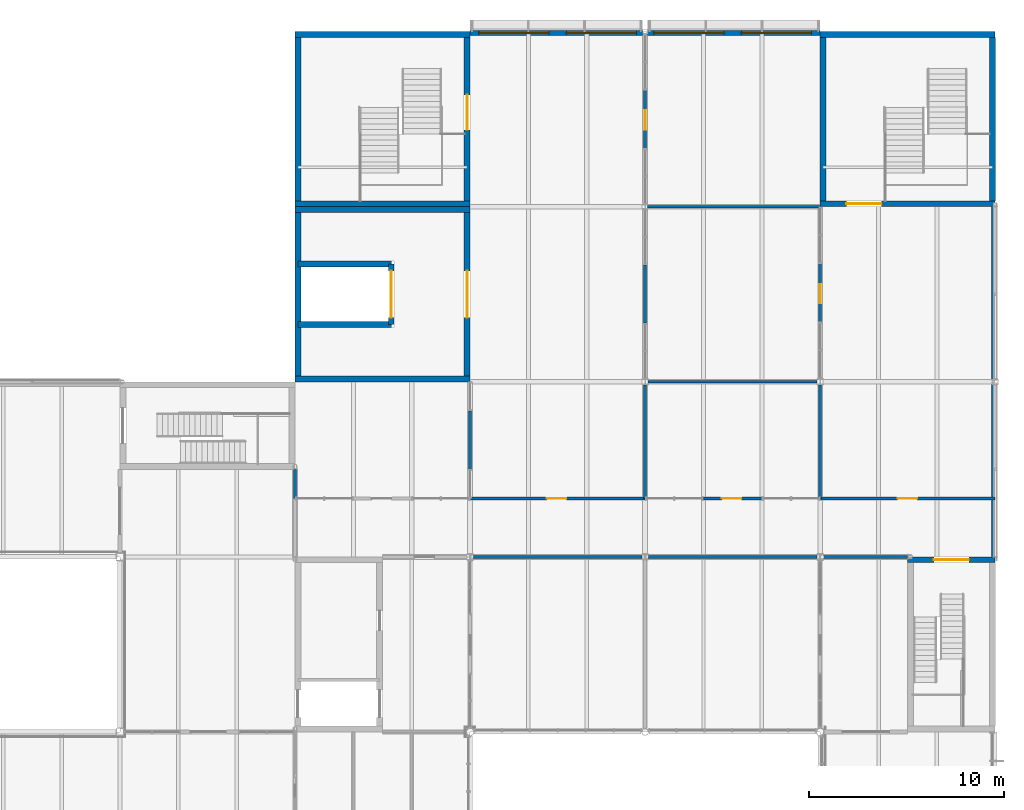
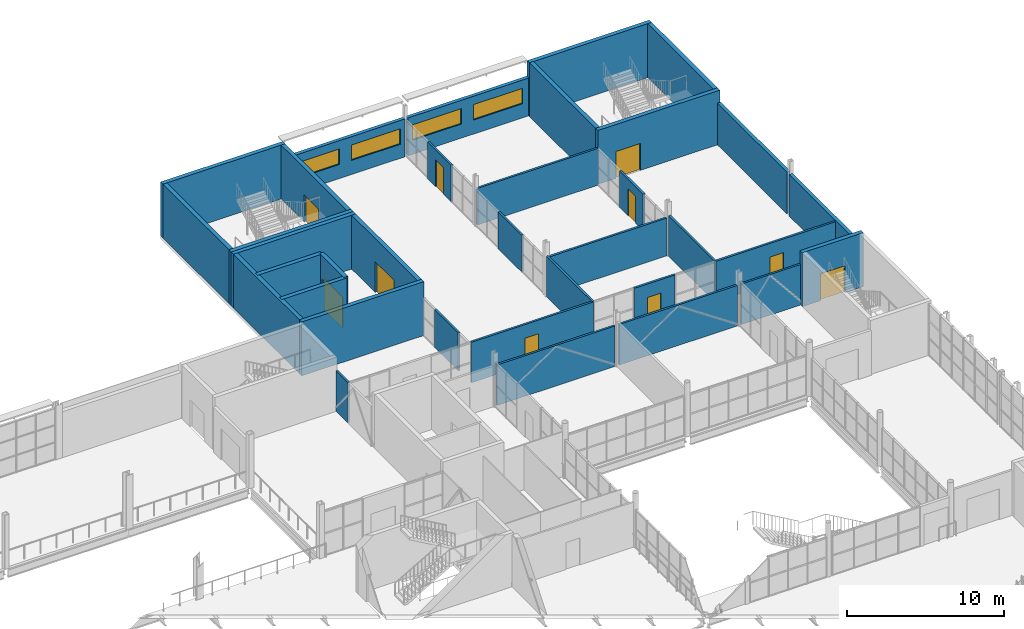
# One storey, part 36 of 57: 35 walls, 10 doors, 4 windows, 14 openings.
"""IFC4 building model written with IfcOpenShell, lengths in metres."""

from ifc_helpers import new_model, si_unit, direction, frame, frame_2d, origin, place, context, subcontext, project, spatial, rectangle, extrude, material, layer, layer_set, type_object, element, fill, save


model = new_model("IFC4")

# Units and contexts
model_context = context("Model", 3, precision=1e-05, world=origin(), true_north=direction((0.0, 1.0)))
body_context = subcontext(model_context, "Body", "Model", "MODEL_VIEW")
ifc_project = project(units=[si_unit("LENGTHUNIT", "METRE"), si_unit("AREAUNIT", "SQUARE_METRE"), si_unit("VOLUMEUNIT", "CUBIC_METRE"), si_unit("PLANEANGLEUNIT", "RADIAN"), si_unit("MASSUNIT", "GRAM", prefix="KILO")], contexts=[model_context])

# Site, building, storey
site_placement = place(None, origin())
site = spatial("IfcSite", under=ifc_project, at=site_placement, CompositionType="ELEMENT")
building_placement = place(site_placement, origin())
building = spatial("IfcBuilding", under=site, at=building_placement, Name="Halyard Row Museum", CompositionType="ELEMENT")
storey_placement = place(building_placement, frame((0.0, 0.0, 5.0)))
storey = spatial("IfcBuildingStorey", under=building, at=storey_placement, Name="L01", CompositionType="ELEMENT", Elevation=5.0)

# Walls
ifc_material_1 = material(Name="Precast concrete C40/50", Category="concrete")
ifc_layer_1 = layer(ifc_material_1, 0.25)
ifc_layer_set_1 = layer_set([ifc_layer_1], Name="Precast concrete C40/50")
wall_type_1 = type_object("IfcWallType", Name="Board-formed concrete wall 250", PredefinedType="SOLIDWALL", material=ifc_layer_set_1)
for number, where, z_axis, x_axis, name in (
    (1, (107.93505859375, 36.0, 0.0), (0.0, 0.0, 1.0), (0.0, 1.0, 0.0), "Wall WL01-800"),
    (2, (107.93505859375, 45.14990234375, 0.0), (0.0, 0.0, 1.0), (0.0, 1.0, 0.0), "Wall WL01-801"),
):
    element("IfcWall", number, at=place(storey_placement, frame(where, z_axis=z_axis, x_axis=x_axis)), inside=storey, type_object=wall_type_1, Name=name, PredefinedType="SOLIDWALL", context=body_context, shape_type="SweptSolid", body=[
        extrude(rectangle(XDim=8.85009765625, YDim=0.25, at=frame_2d((4.425048828125, 0.0))), origin(), (0.0, 0.0, 1.0), 3.25),
    ])

# Wall, openings, windows
wall_1_placement = place(storey_placement, frame((90.125, 62.93505859375, 0.0), z_axis=(0.0, 0.0, 1.0), x_axis=(1.0, 0.0, 0.0)))
wall_1 = element("IfcWall", 3, at=wall_1_placement, inside=storey, type_object=wall_type_1, Name="Wall WL01-802", PredefinedType="SOLIDWALL", context=body_context, shape_type="SweptSolid", body=[
    extrude(rectangle(XDim=8.875, YDim=0.25, at=frame_2d((4.4375, 0.0))), origin(), (0.0, 0.0, 1.0), 2.949951171875),
])
opening_1_placement = place(wall_1_placement, frame((0.324951171875, 0.0, 1.10009765625)))
opening_1 = element("IfcOpeningElement", 4, at=opening_1_placement, cuts=wall_1, Name="Opening WNL01-800", PredefinedType="OPENING", context=body_context, shape_type="SweptSolid", body=[
    extrude(rectangle(XDim=3.60009765625, YDim=1.199951171875, at=frame_2d((1.800048828125, 0.60009765625))), frame((0.0, 0.135009765625, 0.0), z_axis=(0.0, -1.0, 0.0), x_axis=(1.0, 0.0, 0.0)), (0.0, 0.0, 1.0), 0.27001953125),
])
opening_2_placement = place(wall_1_placement, frame((4.824951171875, 0.0, 1.10009765625)))
opening_2 = element("IfcOpeningElement", 5, at=opening_2_placement, cuts=wall_1, Name="Opening WNL01-801", PredefinedType="OPENING", context=body_context, shape_type="SweptSolid", body=[
    extrude(rectangle(XDim=3.60009765625, YDim=1.199951171875, at=frame_2d((1.800048828125, 0.60009765625))), frame((0.0, 0.135009765625, 0.0), z_axis=(0.0, -1.0, 0.0), x_axis=(1.0, 0.0, 0.0)), (0.0, 0.0, 1.0), 0.27001953125),
])
ifc_material_2 = material(Name="Double glazed unit, low-emissivity", Category="glass")
window_type = type_object("IfcWindowType", Name="Window WN4 3600 x 1200", PartitioningType="SINGLE_PANEL", PredefinedType="WINDOW", material=ifc_material_2)
window_1_placement = place(opening_1_placement, origin())
window_1 = element("IfcWindow", 6, at=window_1_placement, inside=storey, type_object=window_type, Name="Window WNL01-800", OverallHeight=1.199951171875, OverallWidth=3.60009765625, PartitioningType="SINGLE_PANEL", PredefinedType="WINDOW", context=body_context, shape_type="SweptSolid", body=[
    extrude(rectangle(XDim=3.60009765625, YDim=1.199951171875, at=frame_2d((1.800048828125, 0.60009765625))), frame((0.0, 0.030029296875, 0.0), z_axis=(0.0, -1.0, 0.0), x_axis=(1.0, 0.0, 0.0)), (0.0, 0.0, 1.0), 0.06005859375),
])
fill(opening_1, window_1)
window_2_placement = place(opening_2_placement, origin())
window_2 = element("IfcWindow", 7, at=window_2_placement, inside=storey, type_object=window_type, Name="Window WNL01-801", OverallHeight=1.199951171875, OverallWidth=3.60009765625, PartitioningType="SINGLE_PANEL", PredefinedType="WINDOW", context=body_context, shape_type="SweptSolid", body=[
    extrude(rectangle(XDim=3.60009765625, YDim=1.199951171875, at=frame_2d((1.800048828125, 0.60009765625))), frame((0.0, 0.030029296875, 0.0), z_axis=(0.0, -1.0, 0.0), x_axis=(1.0, 0.0, 0.0)), (0.0, 0.0, 1.0), 0.06005859375),
])
fill(opening_2, window_2)

wall_2_placement = place(storey_placement, frame((81.0, 62.93505859375, 0.0), z_axis=(0.0, 0.0, 1.0), x_axis=(1.0, 0.0, 0.0)))
wall_2 = element("IfcWall", 8, at=wall_2_placement, inside=storey, type_object=wall_type_1, Name="Wall WL01-803", PredefinedType="SOLIDWALL", context=body_context, shape_type="SweptSolid", body=[
    extrude(rectangle(XDim=8.875, YDim=0.25, at=frame_2d((4.4375, 0.0))), origin(), (0.0, 0.0, 1.0), 2.949951171875),
])
opening_3_placement = place(wall_2_placement, frame((0.449951171875, 0.0, 1.10009765625)))
opening_3 = element("IfcOpeningElement", 9, at=opening_3_placement, cuts=wall_2, Name="Opening WNL01-802", PredefinedType="OPENING", context=body_context, shape_type="SweptSolid", body=[
    extrude(rectangle(XDim=3.60009765625, YDim=1.199951171875, at=frame_2d((1.800048828125, 0.60009765625))), frame((0.0, 0.135009765625, 0.0), z_axis=(0.0, -1.0, 0.0), x_axis=(1.0, 0.0, 0.0)), (0.0, 0.0, 1.0), 0.27001953125),
])
opening_4_placement = place(wall_2_placement, frame((4.949951171875, 0.0, 1.10009765625)))
opening_4 = element("IfcOpeningElement", 10, at=opening_4_placement, cuts=wall_2, Name="Opening WNL01-803", PredefinedType="OPENING", context=body_context, shape_type="SweptSolid", body=[
    extrude(rectangle(XDim=3.60009765625, YDim=1.199951171875, at=frame_2d((1.800048828125, 0.60009765625))), frame((0.0, 0.135009765625, 0.0), z_axis=(0.0, -1.0, 0.0), x_axis=(1.0, 0.0, 0.0)), (0.0, 0.0, 1.0), 0.27001953125),
])
window_3_placement = place(opening_3_placement, origin())
window_3 = element("IfcWindow", 11, at=window_3_placement, inside=storey, type_object=window_type, Name="Window WNL01-802", OverallHeight=1.199951171875, OverallWidth=3.60009765625, PartitioningType="SINGLE_PANEL", PredefinedType="WINDOW", context=body_context, shape_type="SweptSolid", body=[
    extrude(rectangle(XDim=3.60009765625, YDim=1.199951171875, at=frame_2d((1.800048828125, 0.60009765625))), frame((0.0, 0.030029296875, 0.0), z_axis=(0.0, -1.0, 0.0), x_axis=(1.0, 0.0, 0.0)), (0.0, 0.0, 1.0), 0.06005859375),
])
fill(opening_3, window_3)
window_4_placement = place(opening_4_placement, origin())
window_4 = element("IfcWindow", 12, at=window_4_placement, inside=storey, type_object=window_type, Name="Window WNL01-803", OverallHeight=1.199951171875, OverallWidth=3.60009765625, PartitioningType="SINGLE_PANEL", PredefinedType="WINDOW", context=body_context, shape_type="SweptSolid", body=[
    extrude(rectangle(XDim=3.60009765625, YDim=1.199951171875, at=frame_2d((1.800048828125, 0.60009765625))), frame((0.0, 0.030029296875, 0.0), z_axis=(0.0, -1.0, 0.0), x_axis=(1.0, 0.0, 0.0)), (0.0, 0.0, 1.0), 0.06005859375),
])
fill(opening_4, window_4)

# Walls
ifc_material_3 = material(Name="Fire-resisting plasterboard on steel studs", Category="steel")
ifc_layer_2 = layer(ifc_material_3, 0.14990234375)
ifc_layer_set_2 = layer_set([ifc_layer_2], Name="Fire-resisting plasterboard on steel studs")
wall_type_2 = type_object("IfcWallType", Name="Compartment wall 150 fire rated", PredefinedType="PARTITIONING", material=ifc_layer_set_2)
wall_3_placement = place(storey_placement, frame((72.0, 39.0, 0.0), z_axis=(0.0, 0.0, 1.0), x_axis=(0.0, 1.0, 0.0)))
element("IfcWall", 13, at=wall_3_placement, inside=storey, type_object=wall_type_2, Name="Partition Lift Lobby L01 West / Paper Conservation Laboratory", PredefinedType="PARTITIONING", context=body_context, shape_type="SweptSolid", body=[
    extrude(rectangle(XDim=1.5, YDim=0.14990234375, at=frame_2d((0.75, 0.0))), origin(), (0.0, 0.0, 1.0), 3.157958984375),
])
for number, where, z_axis, x_axis, name in (
    (14, (81.155517578125, 36.0, 0.0), (0.0, 0.0, 1.0), (1.0, 0.0, 0.0), "Partition Education Studio L01 / Conservation Route"),
    (15, (90.154541015625, 36.0, 0.0), (0.0, 0.0, 1.0), (1.0, 0.0, 0.0), "Partition Community Room / Conservation Route"),
):
    element("IfcWall", number, at=place(storey_placement, frame(where, z_axis=z_axis, x_axis=x_axis)), inside=storey, type_object=wall_type_2, Name=name, PredefinedType="PARTITIONING", context=body_context, shape_type="SweptSolid", body=[
        extrude(rectangle(XDim=8.68994140625, YDim=0.14990234375, at=frame_2d((4.344970703125, 0.0))), origin(), (0.0, 0.0, 1.0), 3.157958984375),
    ])
wall_4_placement = place(storey_placement, frame((99.155517578125, 36.0, 0.0), z_axis=(0.0, 0.0, 1.0), x_axis=(1.0, 0.0, 0.0)))
element("IfcWall", 16, at=wall_4_placement, inside=storey, type_object=wall_type_2, Name="Partition Stair Lobby K2C L01 / Conservation Route", PredefinedType="PARTITIONING", context=body_context, shape_type="SweptSolid", body=[
    extrude(rectangle(XDim=4.344482421875, YDim=0.14990234375, at=frame_2d((2.17236328125, 0.0))), origin(), (0.0, 0.0, 1.0), 3.157958984375),
])

# Wall, opening, door
wall_5_placement = place(storey_placement, frame((81.0, 39.0, 0.0), z_axis=(0.0, 0.0, 1.0), x_axis=(1.0, 0.0, 0.0)))
wall_5 = element("IfcWall", 17, at=wall_5_placement, inside=storey, type_object=wall_type_2, Name="Partition Conservation Route / Goods Lobby L01", PredefinedType="PARTITIONING", context=body_context, shape_type="SweptSolid", body=[
    extrude(rectangle(XDim=9.0, YDim=0.14990234375, at=frame_2d((4.5, 0.0))), origin(), (0.0, 0.0, 1.0), 3.157958984375),
])
opening_5_placement = place(wall_5_placement, frame((3.949951171875, 0.0, 0.0)))
opening_5 = element("IfcOpeningElement", 18, at=opening_5_placement, cuts=wall_5, Name="Opening DL01-023", PredefinedType="OPENING", context=body_context, shape_type="SweptSolid", body=[
    extrude(rectangle(XDim=1.0, YDim=2.10009765625, at=frame_2d((0.5, 1.050048828125))), frame((0.0, 0.0849609375, 0.0), z_axis=(0.0, -1.0, 0.0), x_axis=(1.0, 0.0, 0.0)), (0.0, 0.0, 1.0), 0.169921875),
])
ifc_material_4 = material(Name="Fire-resisting timber door leaf and steel frame", Category="steel")
door_type_1 = type_object("IfcDoorType", Name="Compartment door 1000 x 2100 fire rated", OperationType="NOTDEFINED", PredefinedType="DOOR", material=ifc_material_4)
door_1_placement = place(opening_5_placement, origin())
door_1 = element("IfcDoor", 19, at=door_1_placement, inside=storey, type_object=door_type_1, Name="Door Conservation Route to Goods Lobby L01", OperationType="SINGLE_SWING_RIGHT", OverallHeight=2.10009765625, OverallWidth=1.0, PredefinedType="DOOR", context=body_context, shape_type="SweptSolid", body=[
    extrude(rectangle(XDim=1.0, YDim=2.10009765625, at=frame_2d((0.5, 1.050048828125))), frame((0.0, 0.02490234375, 0.0), z_axis=(0.0, -1.0, 0.0), x_axis=(1.0, 0.0, 0.0)), (0.0, 0.0, 1.0), 0.050048828125),
])
fill(opening_5, door_1)

wall_6_placement = place(storey_placement, frame((93.0, 39.0, 0.0), z_axis=(0.0, 0.0, 1.0), x_axis=(1.0, 0.0, 0.0)))
wall_6 = element("IfcWall", 20, at=wall_6_placement, inside=storey, type_object=wall_type_2, Name="Partition Conservation Route / Textile Conservation Laboratory", PredefinedType="PARTITIONING", context=body_context, shape_type="SweptSolid", body=[
    extrude(rectangle(XDim=3.0, YDim=0.14990234375, at=frame_2d((1.5, 0.0))), origin(), (0.0, 0.0, 1.0), 3.157958984375),
])
opening_6_placement = place(wall_6_placement, frame((0.949951171875, 0.0, 0.0)))
opening_6 = element("IfcOpeningElement", 21, at=opening_6_placement, cuts=wall_6, Name="Opening DL01-033", PredefinedType="OPENING", context=body_context, shape_type="SweptSolid", body=[
    extrude(rectangle(XDim=1.0, YDim=2.10009765625, at=frame_2d((0.5, 1.050048828125))), frame((0.0, 0.0849609375, 0.0), z_axis=(0.0, -1.0, 0.0), x_axis=(1.0, 0.0, 0.0)), (0.0, 0.0, 1.0), 0.169921875),
])
door_2_placement = place(opening_6_placement, origin())
door_2 = element("IfcDoor", 22, at=door_2_placement, inside=storey, type_object=door_type_1, Name="Door Textile Conservation Laboratory to Conservation Route", OperationType="SINGLE_SWING_RIGHT", OverallHeight=2.10009765625, OverallWidth=1.0, PredefinedType="DOOR", context=body_context, shape_type="SweptSolid", body=[
    extrude(rectangle(XDim=1.0, YDim=2.10009765625, at=frame_2d((0.5, 1.050048828125))), frame((0.0, 0.02490234375, 0.0), z_axis=(0.0, -1.0, 0.0), x_axis=(1.0, 0.0, 0.0)), (0.0, 0.0, 1.0), 0.050048828125),
])
fill(opening_6, door_2)

wall_7_placement = place(storey_placement, frame((99.0, 39.0, 0.0), z_axis=(0.0, 0.0, 1.0), x_axis=(1.0, 0.0, 0.0)))
wall_7 = element("IfcWall", 23, at=wall_7_placement, inside=storey, type_object=wall_type_2, Name="Partition Conservation Route / Stair Lobby K5B L01", PredefinedType="PARTITIONING", context=body_context, shape_type="SweptSolid", body=[
    extrude(rectangle(XDim=9.0, YDim=0.14990234375, at=frame_2d((4.5, 0.0))), origin(), (0.0, 0.0, 1.0), 3.157958984375),
])
opening_7_placement = place(wall_7_placement, frame((3.985107421875, 0.0, 0.0)))
opening_7 = element("IfcOpeningElement", 24, at=opening_7_placement, cuts=wall_7, Name="Opening DL01-024", PredefinedType="OPENING", context=body_context, shape_type="SweptSolid", body=[
    extrude(rectangle(XDim=1.0, YDim=2.10009765625, at=frame_2d((0.5, 1.050048828125))), frame((0.0, 0.0849609375, 0.0), z_axis=(0.0, -1.0, 0.0), x_axis=(1.0, 0.0, 0.0)), (0.0, 0.0, 1.0), 0.169921875),
])
door_3_placement = place(opening_7_placement, origin())
door_3 = element("IfcDoor", 25, at=door_3_placement, inside=storey, type_object=door_type_1, Name="Door Conservation Route to Stair Lobby K5B L01", OperationType="SINGLE_SWING_LEFT", OverallHeight=2.10009765625, OverallWidth=1.0, PredefinedType="DOOR", context=body_context, shape_type="SweptSolid", body=[
    extrude(rectangle(XDim=1.0, YDim=2.10009765625, at=frame_2d((0.5, 1.050048828125))), frame((0.0, 0.02490234375, 0.0), z_axis=(0.0, -1.0, 0.0), x_axis=(1.0, 0.0, 0.0)), (0.0, 0.0, 1.0), 0.050048828125),
])
fill(opening_7, door_3)

# Walls
wall_8_placement = place(storey_placement, frame((81.0, 40.5, 0.0), z_axis=(0.0, 0.0, 1.0), x_axis=(0.0, 1.0, 0.0)))
element("IfcWall", 26, at=wall_8_placement, inside=storey, type_object=wall_type_2, Name="Partition Paper Conservation Laboratory / Goods Lobby L01", PredefinedType="PARTITIONING", context=body_context, shape_type="SweptSolid", body=[
    extrude(rectangle(XDim=3.0, YDim=0.14990234375, at=frame_2d((1.5, 0.0))), origin(), (0.0, 0.0, 1.0), 2.949951171875),
])
wall_9_placement = place(storey_placement, frame((90.0, 39.0, 0.0), z_axis=(0.0, 0.0, 1.0), x_axis=(0.0, 1.0, 0.0)))
element("IfcWall", 27, at=wall_9_placement, inside=storey, type_object=wall_type_2, Name="Partition Goods Lobby L01 / Textile Conservation Laboratory", PredefinedType="PARTITIONING", context=body_context, shape_type="SweptSolid", body=[
    extrude(rectangle(XDim=5.845947265625, YDim=0.14990234375, at=frame_2d((2.9228515625, 0.0))), origin(), (0.0, 0.0, 1.0), 3.157958984375),
])
wall_10_placement = place(storey_placement, frame((90.0, 48.013671875, 0.0), z_axis=(0.0, 0.0, 1.0), x_axis=(0.0, 1.0, 0.0)))
element("IfcWall", 28, at=wall_10_placement, inside=storey, type_object=wall_type_2, Name="Partition Goods Lobby L01 / Imaging Laboratory", PredefinedType="PARTITIONING", context=body_context, shape_type="SweptSolid", body=[
    extrude(rectangle(XDim=3.0, YDim=0.14990234375, at=frame_2d((1.5, 0.0))), origin(), (0.0, 0.0, 1.0), 2.85791015625),
])
wall_11_placement = place(storey_placement, frame((90.152587890625, 45.0, 0.0), z_axis=(0.0, 0.0, 1.0), x_axis=(1.0, 0.0, 0.0)))
element("IfcWall", 29, at=wall_11_placement, inside=storey, type_object=wall_type_2, Name="Partition Textile Conservation Laboratory / Imaging Laboratory", PredefinedType="PARTITIONING", context=body_context, shape_type="SweptSolid", body=[
    extrude(rectangle(XDim=8.69482421875, YDim=0.14990234375, at=frame_2d((4.347412109375, 0.0))), origin(), (0.0, 0.0, 1.0), 2.949951171875),
])
wall_12_placement = place(storey_placement, frame((99.0, 39.0, 0.0), z_axis=(0.0, 0.0, 1.0), x_axis=(0.0, 1.0, 0.0)))
element("IfcWall", 30, at=wall_12_placement, inside=storey, type_object=wall_type_2, Name="Partition Textile Conservation Laboratory / Stair Lobby K5B L01", PredefinedType="PARTITIONING", context=body_context, shape_type="SweptSolid", body=[
    extrude(rectangle(XDim=5.845947265625, YDim=0.14990234375, at=frame_2d((2.9228515625, 0.0))), origin(), (0.0, 0.0, 1.0), 3.157958984375),
])

# Wall, opening, door
wall_13_placement = place(storey_placement, frame((99.0, 48.076904296875, 0.0), z_axis=(0.0, 0.0, 1.0), x_axis=(0.0, 1.0, 0.0)))
wall_13 = element("IfcWall", 31, at=wall_13_placement, inside=storey, type_object=wall_type_2, Name="Partition Imaging Laboratory / Stair Lobby K5B L01", PredefinedType="PARTITIONING", context=body_context, shape_type="SweptSolid", body=[
    extrude(rectangle(XDim=3.0, YDim=0.14990234375, at=frame_2d((1.5, 0.0))), origin(), (0.0, 0.0, 1.0), 2.85791015625),
])
opening_8_placement = place(wall_13_placement, frame((0.949951171875, 0.0, 0.0)))
opening_8 = element("IfcOpeningElement", 32, at=opening_8_placement, cuts=wall_13, Name="Opening DL01-034", PredefinedType="OPENING", context=body_context, shape_type="SweptSolid", body=[
    extrude(rectangle(XDim=1.0, YDim=2.10009765625, at=frame_2d((0.5, 1.050048828125))), frame((0.0, 0.0849609375, 0.0), z_axis=(0.0, -1.0, 0.0), x_axis=(1.0, 0.0, 0.0)), (0.0, 0.0, 1.0), 0.169921875),
])
door_4_placement = place(opening_8_placement, origin())
door_4 = element("IfcDoor", 33, at=door_4_placement, inside=storey, type_object=door_type_1, Name="Door Imaging Laboratory to Stair Lobby K5B L01", OperationType="SINGLE_SWING_LEFT", OverallHeight=2.10009765625, OverallWidth=1.0, PredefinedType="DOOR", context=body_context, shape_type="SweptSolid", body=[
    extrude(rectangle(XDim=1.0, YDim=2.10009765625, at=frame_2d((0.5, 1.050048828125))), frame((0.0, 0.02490234375, 0.0), z_axis=(0.0, -1.0, 0.0), x_axis=(1.0, 0.0, 0.0)), (0.0, 0.0, 1.0), 0.050048828125),
])
fill(opening_8, door_4)

# Wall
wall_14_placement = place(storey_placement, frame((90.126953125, 54.0, 0.0), z_axis=(0.0, 0.0, 1.0), x_axis=(1.0, 0.0, 0.0)))
element("IfcWall", 34, at=wall_14_placement, inside=storey, type_object=wall_type_2, Name="Partition Imaging Laboratory / Objects Conservation Laboratory", PredefinedType="PARTITIONING", context=body_context, shape_type="SweptSolid", body=[
    extrude(rectangle(XDim=8.873046875, YDim=0.14990234375, at=frame_2d((4.4365234375, 0.0))), origin(), (0.0, 0.0, 1.0), 2.85791015625),
])

# Wall, opening, door
wall_15_placement = place(storey_placement, frame((90.0, 57.0009765625, 0.0), z_axis=(0.0, 0.0, 1.0), x_axis=(0.0, 1.0, 0.0)))
wall_15 = element("IfcWall", 35, at=wall_15_placement, inside=storey, type_object=wall_type_2, Name="Partition Stair Lobby K5A L01 / Objects Conservation Laboratory", PredefinedType="PARTITIONING", context=body_context, shape_type="SweptSolid", body=[
    extrude(rectangle(XDim=3.0, YDim=0.14990234375, at=frame_2d((1.5, 0.0))), origin(), (0.0, 0.0, 1.0), 2.85791015625),
])
opening_9_placement = place(wall_15_placement, frame((0.949951171875, 0.0, 0.0)))
opening_9 = element("IfcOpeningElement", 36, at=opening_9_placement, cuts=wall_15, Name="Opening DL01-035", PredefinedType="OPENING", context=body_context, shape_type="SweptSolid", body=[
    extrude(rectangle(XDim=1.0, YDim=2.10009765625, at=frame_2d((0.5, 1.050048828125))), frame((0.0, 0.0849609375, 0.0), z_axis=(0.0, -1.0, 0.0), x_axis=(1.0, 0.0, 0.0)), (0.0, 0.0, 1.0), 0.169921875),
])
door_5_placement = place(opening_9_placement, frame((1.0, 0.0, 0.0), z_axis=(0.0, 0.0, 1.0), x_axis=(-1.0, 0.0, 0.0)))
door_5 = element("IfcDoor", 37, at=door_5_placement, inside=storey, type_object=door_type_1, Name="Door Objects Conservation Laboratory to Stair Lobby K5A L01", OperationType="SINGLE_SWING_LEFT", OverallHeight=2.10009765625, OverallWidth=1.0, PredefinedType="DOOR", context=body_context, shape_type="SweptSolid", body=[
    extrude(rectangle(XDim=1.0, YDim=2.10009765625, at=frame_2d((0.5, 1.050048828125))), frame((0.0, 0.02490234375, 0.0), z_axis=(0.0, -1.0, 0.0), x_axis=(1.0, 0.0, 0.0)), (0.0, 0.0, 1.0), 0.050048828125),
])
fill(opening_9, door_5)

# Wall
ifc_material_5 = material(Name="Concrete 40 MPa", Category="concrete")
ifc_layer_3 = layer(ifc_material_5, 0.300048828125)
ifc_layer_set_3 = layer_set([ifc_layer_3], Name="Concrete 40 MPa")
wall_type_3 = type_object("IfcWallType", Name="Core wall 300 lift shaft", PredefinedType="SOLIDWALL", material=ifc_layer_set_3)
wall_16_placement = place(storey_placement, frame((72.0, 45.14990234375, 0.0), z_axis=(0.0, 0.0, 1.0), x_axis=(1.0, 0.0, 0.0)))
element("IfcWall", 38, at=wall_16_placement, inside=storey, type_object=wall_type_3, Name="Core wall K8 S L01", PredefinedType="SOLIDWALL", context=body_context, shape_type="SweptSolid", body=[
    extrude(rectangle(XDim=9.0, YDim=0.300048828125, at=frame_2d((4.5, 0.0))), origin(), (0.0, 0.0, 1.0), 4.199951171875),
])

# Wall, opening, door
wall_17_placement = place(storey_placement, frame((80.85009765625, 45.300048828125, 0.0), z_axis=(0.0, 0.0, 1.0), x_axis=(0.0, 1.0, 0.0)))
wall_17 = element("IfcWall", 39, at=wall_17_placement, inside=storey, type_object=wall_type_3, Name="Core wall K8 E L01", PredefinedType="SOLIDWALL", context=body_context, shape_type="SweptSolid", body=[
    extrude(rectangle(XDim=8.39990234375, YDim=0.300048828125, at=frame_2d((4.199951171875, 0.0))), origin(), (0.0, 0.0, 1.0), 4.199951171875),
])
opening_10_placement = place(wall_17_placement, frame((3.0, 0.0, 0.0)))
opening_10 = element("IfcOpeningElement", 40, at=opening_10_placement, cuts=wall_17, Name="Opening DL01-012", PredefinedType="OPENING", context=body_context, shape_type="SweptSolid", body=[
    extrude(rectangle(XDim=2.39990234375, YDim=2.39990234375, at=frame_2d((1.199951171875, 1.199951171875))), frame((0.0, 0.159912109375, 0.0), z_axis=(0.0, -1.0, 0.0), x_axis=(1.0, 0.0, 0.0)), (0.0, 0.0, 1.0), 0.320068359375),
])
ifc_material_6 = material(Name="Timber veneered door leaf and softwood frame", Category="wood")
door_type_2 = type_object("IfcDoorType", Name="Double door 2400 x 2400 gallery fire rated", OperationType="NOTDEFINED", PredefinedType="DOOR", material=ifc_material_6)
door_6_placement = place(opening_10_placement, frame((2.39990234375, 0.0, 0.0), z_axis=(0.0, 0.0, 1.0), x_axis=(-1.0, 0.0, 0.0)))
door_6 = element("IfcDoor", 41, at=door_6_placement, inside=storey, type_object=door_type_2, Name="Goods lobby door K8 L01", OperationType="DOUBLE_DOOR_SINGLE_SWING", OverallHeight=2.39990234375, OverallWidth=2.39990234375, PredefinedType="DOOR", context=body_context, shape_type="SweptSolid", body=[
    extrude(rectangle(XDim=2.39990234375, YDim=2.39990234375, at=frame_2d((1.199951171875, 1.199951171875))), frame((0.0, 0.02490234375, 0.0), z_axis=(0.0, -1.0, 0.0), x_axis=(1.0, 0.0, 0.0)), (0.0, 0.0, 1.0), 0.050048828125),
])
fill(opening_10, door_6)

# Walls
wall_18_placement = place(storey_placement, frame((72.0, 53.85009765625, 0.0), z_axis=(0.0, 0.0, 1.0), x_axis=(1.0, 0.0, 0.0)))
element("IfcWall", 42, at=wall_18_placement, inside=storey, type_object=wall_type_3, Name="Core wall K8 N L01", PredefinedType="SOLIDWALL", context=body_context, shape_type="SweptSolid", body=[
    extrude(rectangle(XDim=9.0, YDim=0.300048828125, at=frame_2d((4.5, 0.0))), origin(), (0.0, 0.0, 1.0), 4.199951171875),
])
wall_19_placement = place(storey_placement, frame((72.14990234375, 45.300048828125, 0.0), z_axis=(0.0, 0.0, 1.0), x_axis=(0.0, 1.0, 0.0)))
element("IfcWall", 43, at=wall_19_placement, inside=storey, type_object=wall_type_3, Name="Core wall K8 W L01", PredefinedType="SOLIDWALL", context=body_context, shape_type="SweptSolid", body=[
    extrude(rectangle(XDim=8.39990234375, YDim=0.300048828125, at=frame_2d((4.199951171875, 0.0))), origin(), (0.0, 0.0, 1.0), 4.199951171875),
])

# Wall, opening, door
wall_20_placement = place(storey_placement, frame((76.949951171875, 47.949951171875, 0.0), z_axis=(0.0, 0.0, 1.0), x_axis=(0.0, 1.0, 0.0)))
wall_20 = element("IfcWall", 44, at=wall_20_placement, inside=storey, type_object=wall_type_3, Name="Shaft wall GL1 front L01", PredefinedType="SOLIDWALL", context=body_context, shape_type="SweptSolid", body=[
    extrude(rectangle(XDim=3.10009765625, YDim=0.300048828125, at=frame_2d((1.550048828125, 0.0))), origin(), (0.0, 0.0, 1.0), 4.199951171875),
])
opening_11_placement = place(wall_20_placement, frame((0.35009765625, 0.0, 0.0)))
opening_11 = element("IfcOpeningElement", 45, at=opening_11_placement, cuts=wall_20, Name="Opening LDGL1-L01", PredefinedType="OPENING", context=body_context, shape_type="SweptSolid", body=[
    extrude(rectangle(XDim=2.39990234375, YDim=2.39990234375, at=frame_2d((1.199951171875, 1.199951171875))), frame((0.0, 0.159912109375, 0.0), z_axis=(0.0, -1.0, 0.0), x_axis=(1.0, 0.0, 0.0)), (0.0, 0.0, 1.0), 0.320068359375),
])
ifc_material_7 = material(Name="Stainless steel sliding car and landing doors", Category="steel")
door_type_3 = type_object("IfcDoorType", Name="Lift landing door 2400 x 2400", OperationType="SLIDING_TO_LEFT", PredefinedType="DOOR", material=ifc_material_7)
door_7_placement = place(opening_11_placement, origin())
door_7 = element("IfcDoor", 46, at=door_7_placement, inside=storey, type_object=door_type_3, Name="Landing door GL1 L01", OperationType="DOUBLE_DOOR_SLIDING", OverallHeight=2.39990234375, OverallWidth=2.39990234375, PredefinedType="DOOR", context=body_context, shape_type="SweptSolid", body=[
    extrude(rectangle(XDim=2.39990234375, YDim=2.39990234375, at=frame_2d((1.199951171875, 1.199951171875))), frame((0.0, 0.02490234375, 0.0), z_axis=(0.0, -1.0, 0.0), x_axis=(1.0, 0.0, 0.0)), (0.0, 0.0, 1.0), 0.050048828125),
])
fill(opening_11, door_7)

# Walls
for number, where, z_axis, x_axis, name in (
    (47, (72.14990234375, 47.949951171875, 0.0), (0.0, 0.0, 1.0), (1.0, 0.0, 0.0), "Shaft wall GL1 A L01"),
    (48, (72.14990234375, 51.050048828125, 0.0), (0.0, 0.0, 1.0), (1.0, 0.0, 0.0), "Shaft wall GL1 B L01"),
):
    element("IfcWall", number, at=place(storey_placement, frame(where, z_axis=z_axis, x_axis=x_axis)), inside=storey, type_object=wall_type_3, Name=name, PredefinedType="SOLIDWALL", context=body_context, shape_type="SweptSolid", body=[
        extrude(rectangle(XDim=4.800048828125, YDim=0.300048828125, at=frame_2d((2.39990234375, 0.0))), origin(), (0.0, 0.0, 1.0), 4.199951171875),
    ])

# Wall, opening, door
ifc_material_8 = material(Name="Concrete 40 MPa", Category="concrete")
ifc_layer_4 = layer(ifc_material_8, 0.300048828125)
ifc_layer_set_4 = layer_set([ifc_layer_4], Name="Concrete 40 MPa")
wall_type_4 = type_object("IfcWallType", Name="Exitway wall 300 reinforced concrete", PredefinedType="SOLIDWALL", material=ifc_layer_set_4)
wall_21_placement = place(storey_placement, frame((103.5, 35.85009765625, 0.0), z_axis=(0.0, 0.0, 1.0), x_axis=(1.0, 0.0, 0.0)))
wall_21 = element("IfcWall", 49, at=wall_21_placement, inside=storey, type_object=wall_type_4, Name="Core wall K2C N L01", PredefinedType="SOLIDWALL", context=body_context, shape_type="SweptSolid", body=[
    extrude(rectangle(XDim=4.5, YDim=0.300048828125, at=frame_2d((2.25, 0.0))), origin(), (0.0, 0.0, 1.0), 4.199951171875),
])
opening_12_placement = place(wall_21_placement, frame((1.35009765625, 0.0, 0.0)))
opening_12 = element("IfcOpeningElement", 50, at=opening_12_placement, cuts=wall_21, Name="Opening DL01-007", PredefinedType="OPENING", context=body_context, shape_type="SweptSolid", body=[
    extrude(rectangle(XDim=1.800048828125, YDim=2.10009765625, at=frame_2d((0.89990234375, 1.050048828125))), frame((0.0, 0.159912109375, 0.0), z_axis=(0.0, -1.0, 0.0), x_axis=(1.0, 0.0, 0.0)), (0.0, 0.0, 1.0), 0.320068359375),
])
ifc_material_9 = material(Name="Fire-resisting timber door leaf and steel frame", Category="steel")
door_type_4 = type_object("IfcDoorType", Name="Exitway door 1800 x 2100 fire rated", OperationType="NOTDEFINED", PredefinedType="DOOR", material=ifc_material_9)
door_8_placement = place(opening_12_placement, frame((1.800048828125, 0.0, 0.0), z_axis=(0.0, 0.0, 1.0), x_axis=(-1.0, 0.0, 0.0)))
door_8 = element("IfcDoor", 51, at=door_8_placement, inside=storey, type_object=door_type_4, Name="Exitway door K2C L01", OperationType="DOUBLE_DOOR_SINGLE_SWING", OverallHeight=2.10009765625, OverallWidth=1.800048828125, PredefinedType="DOOR", context=body_context, shape_type="SweptSolid", body=[
    extrude(rectangle(XDim=1.800048828125, YDim=2.10009765625, at=frame_2d((0.89990234375, 1.050048828125))), frame((0.0, 0.02490234375, 0.0), z_axis=(0.0, -1.0, 0.0), x_axis=(1.0, 0.0, 0.0)), (0.0, 0.0, 1.0), 0.050048828125),
])
fill(opening_12, door_8)

# Wall
wall_22_placement = place(storey_placement, frame((72.0, 54.14990234375, 0.0), z_axis=(0.0, 0.0, 1.0), x_axis=(1.0, 0.0, 0.0)))
element("IfcWall", 52, at=wall_22_placement, inside=storey, type_object=wall_type_4, Name="Core wall K5A S L01", PredefinedType="SOLIDWALL", context=body_context, shape_type="SweptSolid", body=[
    extrude(rectangle(XDim=9.0, YDim=0.300048828125, at=frame_2d((4.5, 0.0))), origin(), (0.0, 0.0, 1.0), 4.199951171875),
])

# Wall, opening, door
wall_23_placement = place(storey_placement, frame((80.85009765625, 54.300048828125, 0.0), z_axis=(0.0, 0.0, 1.0), x_axis=(0.0, 1.0, 0.0)))
wall_23 = element("IfcWall", 53, at=wall_23_placement, inside=storey, type_object=wall_type_4, Name="Core wall K5A E L01", PredefinedType="SOLIDWALL", context=body_context, shape_type="SweptSolid", body=[
    extrude(rectangle(XDim=8.39990234375, YDim=0.300048828125, at=frame_2d((4.199951171875, 0.0))), origin(), (0.0, 0.0, 1.0), 4.199951171875),
])
opening_13_placement = place(wall_23_placement, frame((3.64990234375, 0.0, 0.0)))
opening_13 = element("IfcOpeningElement", 54, at=opening_13_placement, cuts=wall_23, Name="Opening DL01-010", PredefinedType="OPENING", context=body_context, shape_type="SweptSolid", body=[
    extrude(rectangle(XDim=1.800048828125, YDim=2.10009765625, at=frame_2d((0.89990234375, 1.050048828125))), frame((0.0, 0.159912109375, 0.0), z_axis=(0.0, -1.0, 0.0), x_axis=(1.0, 0.0, 0.0)), (0.0, 0.0, 1.0), 0.320068359375),
])
door_9_placement = place(opening_13_placement, origin())
door_9 = element("IfcDoor", 55, at=door_9_placement, inside=storey, type_object=door_type_4, Name="Exitway door K5A L01", OperationType="DOUBLE_DOOR_SINGLE_SWING", OverallHeight=2.10009765625, OverallWidth=1.800048828125, PredefinedType="DOOR", context=body_context, shape_type="SweptSolid", body=[
    extrude(rectangle(XDim=1.800048828125, YDim=2.10009765625, at=frame_2d((0.89990234375, 1.050048828125))), frame((0.0, 0.02490234375, 0.0), z_axis=(0.0, -1.0, 0.0), x_axis=(1.0, 0.0, 0.0)), (0.0, 0.0, 1.0), 0.050048828125),
])
fill(opening_13, door_9)

# Walls
wall_24_placement = place(storey_placement, frame((72.0, 62.85009765625, 0.0), z_axis=(0.0, 0.0, 1.0), x_axis=(1.0, 0.0, 0.0)))
element("IfcWall", 56, at=wall_24_placement, inside=storey, type_object=wall_type_4, Name="Core wall K5A N L01", PredefinedType="SOLIDWALL", context=body_context, shape_type="SweptSolid", body=[
    extrude(rectangle(XDim=9.0, YDim=0.300048828125, at=frame_2d((4.5, 0.0))), origin(), (0.0, 0.0, 1.0), 4.199951171875),
])
wall_25_placement = place(storey_placement, frame((72.14990234375, 54.300048828125, 0.0), z_axis=(0.0, 0.0, 1.0), x_axis=(0.0, 1.0, 0.0)))
element("IfcWall", 57, at=wall_25_placement, inside=storey, type_object=wall_type_4, Name="Core wall K5A W L01", PredefinedType="SOLIDWALL", context=body_context, shape_type="SweptSolid", body=[
    extrude(rectangle(XDim=8.39990234375, YDim=0.300048828125, at=frame_2d((4.199951171875, 0.0))), origin(), (0.0, 0.0, 1.0), 4.199951171875),
])

# Wall, opening, door
wall_26_placement = place(storey_placement, frame((99.0, 54.14990234375, 0.0), z_axis=(0.0, 0.0, 1.0), x_axis=(1.0, 0.0, 0.0)))
wall_26 = element("IfcWall", 58, at=wall_26_placement, inside=storey, type_object=wall_type_4, Name="Core wall K5B S L01", PredefinedType="SOLIDWALL", context=body_context, shape_type="SweptSolid", body=[
    extrude(rectangle(XDim=9.0, YDim=0.300048828125, at=frame_2d((4.5, 0.0))), origin(), (0.0, 0.0, 1.0), 4.199951171875),
])
opening_14_placement = place(wall_26_placement, frame((1.35009765625, 0.0, 0.0)))
opening_14 = element("IfcOpeningElement", 59, at=opening_14_placement, cuts=wall_26, Name="Opening DL01-011", PredefinedType="OPENING", context=body_context, shape_type="SweptSolid", body=[
    extrude(rectangle(XDim=1.800048828125, YDim=2.10009765625, at=frame_2d((0.89990234375, 1.050048828125))), frame((0.0, 0.159912109375, 0.0), z_axis=(0.0, -1.0, 0.0), x_axis=(1.0, 0.0, 0.0)), (0.0, 0.0, 1.0), 0.320068359375),
])
door_10_placement = place(opening_14_placement, origin())
door_10 = element("IfcDoor", 60, at=door_10_placement, inside=storey, type_object=door_type_4, Name="Exitway door K5B L01", OperationType="DOUBLE_DOOR_SINGLE_SWING", OverallHeight=2.10009765625, OverallWidth=1.800048828125, PredefinedType="DOOR", context=body_context, shape_type="SweptSolid", body=[
    extrude(rectangle(XDim=1.800048828125, YDim=2.10009765625, at=frame_2d((0.89990234375, 1.050048828125))), frame((0.0, 0.02490234375, 0.0), z_axis=(0.0, -1.0, 0.0), x_axis=(1.0, 0.0, 0.0)), (0.0, 0.0, 1.0), 0.050048828125),
])
fill(opening_14, door_10)

# Walls
wall_27_placement = place(storey_placement, frame((107.85009765625, 54.300048828125, 0.0), z_axis=(0.0, 0.0, 1.0), x_axis=(0.0, 1.0, 0.0)))
element("IfcWall", 61, at=wall_27_placement, inside=storey, type_object=wall_type_4, Name="Core wall K5B E L01", PredefinedType="SOLIDWALL", context=body_context, shape_type="SweptSolid", body=[
    extrude(rectangle(XDim=8.39990234375, YDim=0.300048828125, at=frame_2d((4.199951171875, 0.0))), origin(), (0.0, 0.0, 1.0), 4.199951171875),
])
wall_28_placement = place(storey_placement, frame((99.0, 62.85009765625, 0.0), z_axis=(0.0, 0.0, 1.0), x_axis=(1.0, 0.0, 0.0)))
element("IfcWall", 62, at=wall_28_placement, inside=storey, type_object=wall_type_4, Name="Core wall K5B N L01", PredefinedType="SOLIDWALL", context=body_context, shape_type="SweptSolid", body=[
    extrude(rectangle(XDim=9.0, YDim=0.300048828125, at=frame_2d((4.5, 0.0))), origin(), (0.0, 0.0, 1.0), 4.199951171875),
])
wall_29_placement = place(storey_placement, frame((99.14990234375, 54.300048828125, 0.0), z_axis=(0.0, 0.0, 1.0), x_axis=(0.0, 1.0, 0.0)))
element("IfcWall", 63, at=wall_29_placement, inside=storey, type_object=wall_type_4, Name="Core wall K5B W L01", PredefinedType="SOLIDWALL", context=body_context, shape_type="SweptSolid", body=[
    extrude(rectangle(XDim=8.39990234375, YDim=0.300048828125, at=frame_2d((4.199951171875, 0.0))), origin(), (0.0, 0.0, 1.0), 4.199951171875),
])

save(model, "model.ifc")
